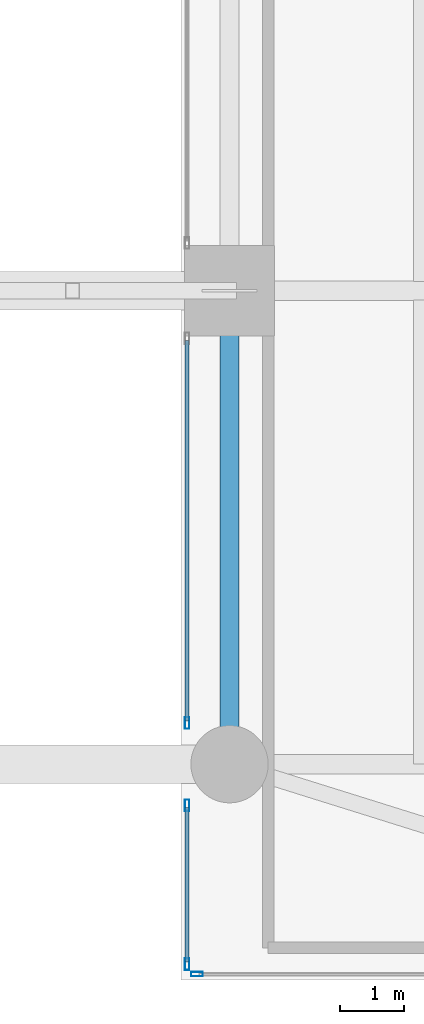
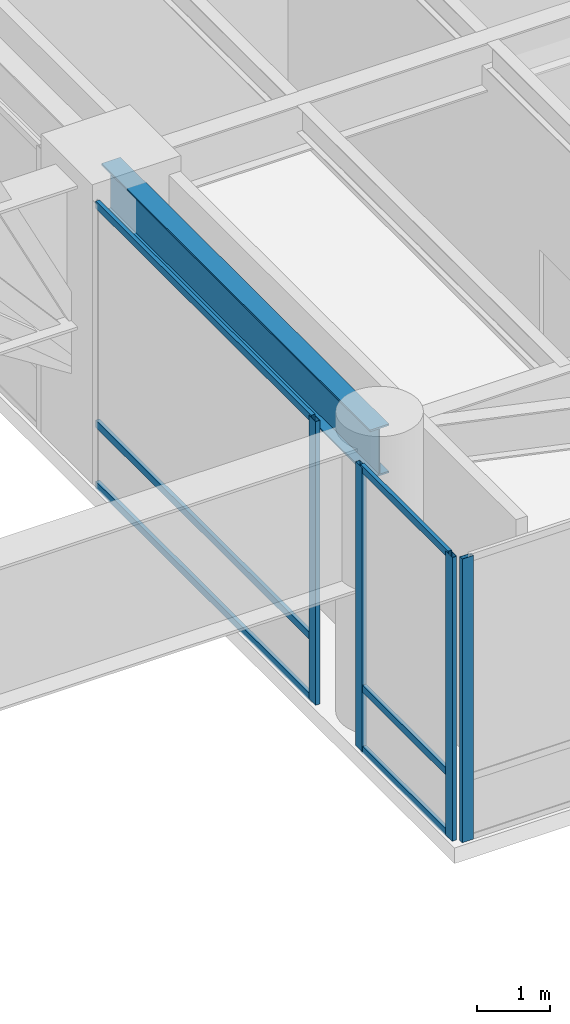
# One storey, part 14 of 39: 10 members, 1 beam, 3 elements without a shape of their own.
"""IFC4 building model written with IfcOpenShell, lengths in metres."""

from ifc_helpers import new_model, si_unit, direction, frame, origin, origin_2d, place, context, subcontext, project, spatial, hollow_rectangle, i_section, extrude, source, transform, mapped, material, layer, layer_set, material_profile, profile_set, type_object, type_shapes, element, aggregate, save


model = new_model("IFC4")

# Units and contexts
model_context = context("Model", 3, precision=1e-05, world=origin(), true_north=direction((0.0, 1.0)))
body_context = subcontext(model_context, "Body", "Model", "MODEL_VIEW")
ifc_project = project(units=[si_unit("LENGTHUNIT", "METRE"), si_unit("AREAUNIT", "SQUARE_METRE"), si_unit("VOLUMEUNIT", "CUBIC_METRE"), si_unit("PLANEANGLEUNIT", "RADIAN"), si_unit("MASSUNIT", "GRAM", prefix="KILO")], contexts=[model_context])

# Site, building, storey
site_placement = place(None, origin())
site = spatial("IfcSite", under=ifc_project, at=site_placement, CompositionType="ELEMENT")
building_placement = place(site_placement, origin())
building = spatial("IfcBuilding", under=site, at=building_placement, Name="Tolvann Quenvar Hotel", CompositionType="ELEMENT")
storey_placement = place(building_placement, frame((0.0, 0.0, 11.0)))
storey = spatial("IfcBuildingStorey", under=building, at=storey_placement, Name="L02", CompositionType="ELEMENT", Elevation=11.0)

# Beam
ifc_material_1 = material(Name="Steel Grade 350", Category="steel")
ifc_material_profile_1 = material_profile(ifc_material_1, i_section(OverallWidth=0.300048828125, OverallDepth=0.81591796875, WebThickness=0.010009765625, FlangeThickness=0.028076171875, at=origin_2d()), Name="800WB192")
ifc_profile_set_1 = profile_set([ifc_material_profile_1], Name="Steel Grade 350")
beam_type = type_object("IfcBeamType", Name="BM_GIRD_800WB192", PredefinedType="BEAM", material=ifc_profile_set_1)
shared_shape_1 = source(origin(), body_context, "Body", "SweptSolid", [
    extrude(i_section(OverallWidth=0.300048828125, OverallDepth=0.81591796875, WebThickness=0.010009765625, FlangeThickness=0.028076171875, at=origin_2d()), origin(), (0.0, 0.0, 1.0), 7.349853515625),
])
type_shapes(beam_type, [shared_shape_1])
beam_placement = place(storey_placement, frame((38.25, 0.85009765625, 4.33203125), z_axis=(0.0, 1.0, 0.0), x_axis=(-1.0, 0.0, 0.0)))
element("IfcBeam", 1, at=beam_placement, inside=storey, type_object=beam_type, Name="BM-L02-NS-APE-0", PredefinedType="BEAM", context=body_context, shape_type="MappedRepresentation", body=[
    mapped(shared_shape_1, transform((0.0, 0.0, 0.0), x_axis=(1.0, 0.0, 0.0), y_axis=(0.0, 1.0, 0.0), z_axis=(0.0, 0.0, 1.0), scale=1.0)),
])

# Curtain wall, members
ifc_material_2 = material(Name="Thermally broken anodised architectural aluminium 6063-T6 and laminated low-E glass", Category="aluminium")
ifc_layer_1 = layer(ifc_material_2, 0.179931640625)
ifc_layer_set_1 = layer_set([ifc_layer_1], Name="Thermally broken anodised architectural aluminium 6063-T6 and laminated low-E glass")
curtain_wall_type_1 = type_object("IfcCurtainWallType", Name="CW_SYS_ARCH_01", PredefinedType="USERDEFINED", material=ifc_layer_set_1)
curtain_wall_1_placement = place(storey_placement, origin())
curtain_wall_1 = element("IfcCurtainWall", 2, at=curtain_wall_1_placement, inside=storey, type_object=curtain_wall_type_1, Name="Curtain Wall CW-ARCH-01 (CWR-L02-E03-S5)", ObjectType="UNITISED CURTAIN WALL", PredefinedType="USERDEFINED")
ifc_material_3 = material(Name="Anodised architectural aluminium 6063-T6 framing", Category="aluminium")
ifc_material_profile_2 = material_profile(ifc_material_3, hollow_rectangle(XDim=0.06005859375, YDim=0.1201171875, WallThickness=0.00341796875, at=origin_2d()), Name="120x60x3.5RHS")
ifc_profile_set_2 = profile_set([ifc_material_profile_2], Name="Anodised architectural aluminium 6063-T6 framing")
member_type_1 = type_object("IfcMemberType", Name="CW_TRAN_120x60", PredefinedType="USERDEFINED", material=ifc_profile_set_2)
shared_shape_2 = source(origin(), body_context, "Body", "SweptSolid", [
    extrude(hollow_rectangle(XDim=0.06005859375, YDim=0.1201171875, WallThickness=0.00341796875, at=origin_2d()), origin(), (0.0, 0.0, 1.0), 2.39599609375),
])
member_1_placement = place(storey_placement, frame((37.590087890625, 0.176025390625, 0.030029296875), z_axis=(0.0, -1.0, 0.0), x_axis=(1.0, 0.0, 0.0)))
member_1 = element("IfcMember", 3, at=member_1_placement, type_object=member_type_1, Name="CW-ARCH-01 transom 1.1", ObjectType="TRANSOM", PredefinedType="USERDEFINED", context=body_context, shape_type="MappedRepresentation", body=[
    mapped(shared_shape_2, transform((0.0, 0.0, 0.0), x_axis=(1.0, 0.0, 0.0), y_axis=(0.0, 1.0, 0.0), z_axis=(0.0, 0.0, 1.0), scale=1.0)),
])
member_2_placement = place(storey_placement, frame((37.590087890625, 0.176025390625, 1.050048828125), z_axis=(0.0, -1.0, 0.0), x_axis=(1.0, 0.0, 0.0)))
member_2 = element("IfcMember", 4, at=member_2_placement, type_object=member_type_1, Name="CW-ARCH-01 transom 1.2", ObjectType="TRANSOM", PredefinedType="USERDEFINED", context=body_context, shape_type="MappedRepresentation", body=[
    mapped(shared_shape_2, transform((0.0, 0.0, 0.0), x_axis=(1.0, 0.0, 0.0), y_axis=(0.0, 1.0, 0.0), z_axis=(0.0, 0.0, 1.0), scale=1.0)),
])
member_3_placement = place(storey_placement, frame((37.590087890625, 0.176025390625, 4.7099609375), z_axis=(0.0, -1.0, 0.0), x_axis=(1.0, 0.0, 0.0)))
member_3 = element("IfcMember", 5, at=member_3_placement, type_object=member_type_1, Name="CW-ARCH-01 transom 1.3", ObjectType="TRANSOM", PredefinedType="USERDEFINED", context=body_context, shape_type="MappedRepresentation", body=[
    mapped(shared_shape_2, transform((0.0, 0.0, 0.0), x_axis=(1.0, 0.0, 0.0), y_axis=(0.0, 1.0, 0.0), z_axis=(0.0, 0.0, 1.0), scale=1.0)),
])

curtain_wall_2_placement = place(storey_placement, origin())
curtain_wall_2 = element("IfcCurtainWall", 6, at=curtain_wall_2_placement, inside=storey, type_object=curtain_wall_type_1, Name="Curtain Wall CW-ARCH-01 (CWR-L02-E03-S4)", ObjectType="UNITISED CURTAIN WALL", PredefinedType="USERDEFINED")
shared_shape_3 = source(origin(), body_context, "Body", "SweptSolid", [
    extrude(hollow_rectangle(XDim=0.06005859375, YDim=0.1201171875, WallThickness=0.00341796875, at=origin_2d()), origin(), (0.0, 0.0, 1.0), 5.902099609375),
])
type_shapes(member_type_1, [shared_shape_2, shared_shape_3])
member_4_placement = place(storey_placement, frame((37.590087890625, 7.426025390625, 0.030029296875), z_axis=(0.0, -1.0, 0.0), x_axis=(1.0, 0.0, 0.0)))
member_4 = element("IfcMember", 7, at=member_4_placement, type_object=member_type_1, Name="CW-ARCH-01 transom 1.1", ObjectType="TRANSOM", PredefinedType="USERDEFINED", context=body_context, shape_type="MappedRepresentation", body=[
    mapped(shared_shape_3, transform((0.0, 0.0, 0.0), x_axis=(1.0, 0.0, 0.0), y_axis=(0.0, 1.0, 0.0), z_axis=(0.0, 0.0, 1.0), scale=1.0)),
])
member_5_placement = place(storey_placement, frame((37.590087890625, 7.426025390625, 1.050048828125), z_axis=(0.0, -1.0, 0.0), x_axis=(1.0, 0.0, 0.0)))
member_5 = element("IfcMember", 8, at=member_5_placement, type_object=member_type_1, Name="CW-ARCH-01 transom 1.2", ObjectType="TRANSOM", PredefinedType="USERDEFINED", context=body_context, shape_type="MappedRepresentation", body=[
    mapped(shared_shape_3, transform((0.0, 0.0, 0.0), x_axis=(1.0, 0.0, 0.0), y_axis=(0.0, 1.0, 0.0), z_axis=(0.0, 0.0, 1.0), scale=1.0)),
])
member_6_placement = place(storey_placement, frame((37.590087890625, 7.426025390625, 4.7099609375), z_axis=(0.0, -1.0, 0.0), x_axis=(1.0, 0.0, 0.0)))
member_6 = element("IfcMember", 9, at=member_6_placement, type_object=member_type_1, Name="CW-ARCH-01 transom 1.3", ObjectType="TRANSOM", PredefinedType="USERDEFINED", context=body_context, shape_type="MappedRepresentation", body=[
    mapped(shared_shape_3, transform((0.0, 0.0, 0.0), x_axis=(1.0, 0.0, 0.0), y_axis=(0.0, 1.0, 0.0), z_axis=(0.0, 0.0, 1.0), scale=1.0)),
])
ifc_material_profile_3 = material_profile(ifc_material_3, hollow_rectangle(XDim=0.070068359375, YDim=0.179931640625, WallThickness=0.00390625, at=origin_2d()), Name="180x70x4RHS")
ifc_profile_set_3 = profile_set([ifc_material_profile_3], Name="Anodised architectural aluminium 6063-T6 framing")
member_type_2 = type_object("IfcMemberType", Name="CW_MULL_180x70", PredefinedType="MULLION", material=ifc_profile_set_3)
shared_shape_4 = source(origin(), body_context, "Body", "SweptSolid", [
    extrude(hollow_rectangle(XDim=0.070068359375, YDim=0.179931640625, WallThickness=0.00390625, at=origin_2d()), origin(), (0.0, 0.0, 1.0), 4.739990234375),
])
type_shapes(member_type_2, [shared_shape_4])
member_7_placement = place(storey_placement, frame((37.590087890625, 1.489013671875, 0.0), z_axis=(0.0, 0.0, 1.0), x_axis=(1.0, 0.0, 0.0)))
member_7 = element("IfcMember", 10, at=member_7_placement, type_object=member_type_2, Name="CW-ARCH-01 mullion 2", PredefinedType="MULLION", context=body_context, shape_type="MappedRepresentation", body=[
    mapped(shared_shape_4, transform((0.0, 0.0, 0.0), x_axis=(1.0, 0.0, 0.0), y_axis=(0.0, 1.0, 0.0), z_axis=(0.0, 0.0, 1.0), scale=1.0)),
])
aggregate(curtain_wall_2, [member_7, member_4, member_5, member_6])

# Member
member_8_placement = place(storey_placement, frame((37.590087890625, 0.2109375, 0.0), z_axis=(0.0, 0.0, 1.0), x_axis=(1.0, 0.0, 0.0)))
member_8 = element("IfcMember", 11, at=member_8_placement, type_object=member_type_2, Name="CW-ARCH-01 mullion 1", PredefinedType="MULLION", context=body_context, shape_type="MappedRepresentation", body=[
    mapped(shared_shape_4, transform((0.0, 0.0, 0.0), x_axis=(1.0, 0.0, 0.0), y_axis=(0.0, 1.0, 0.0), z_axis=(0.0, 0.0, 1.0), scale=1.0)),
])

member_9_placement = place(storey_placement, frame((37.590087890625, -2.2548828125, 0.0), z_axis=(0.0, 0.0, 1.0), x_axis=(1.0, 0.0, 0.0)))
member_9 = element("IfcMember", 12, at=member_9_placement, type_object=member_type_2, Name="CW-ARCH-01 mullion 2", PredefinedType="MULLION", context=body_context, shape_type="MappedRepresentation", body=[
    mapped(shared_shape_4, transform((0.0, 0.0, 0.0), x_axis=(1.0, 0.0, 0.0), y_axis=(0.0, 1.0, 0.0), z_axis=(0.0, 0.0, 1.0), scale=1.0)),
])

aggregate(curtain_wall_1, [member_8, member_9, member_1, member_2, member_3])

# Curtain wall, member
ifc_layer_2 = layer(ifc_material_2, 0.179931640625)
ifc_layer_set_2 = layer_set([ifc_layer_2], Name="Thermally broken anodised architectural aluminium 6063-T6 and laminated low-E glass")
curtain_wall_type_2 = type_object("IfcCurtainWallType", Name="CW_SYS_BALL_02", PredefinedType="USERDEFINED", material=ifc_layer_set_2)
curtain_wall_3_placement = place(storey_placement, origin())
curtain_wall_3 = element("IfcCurtainWall", 13, at=curtain_wall_3_placement, inside=storey, type_object=curtain_wall_type_2, Name="Curtain Wall CW-BALL-02 (CWR-L02-E04-S1)", ObjectType="UNITISED CURTAIN WALL", PredefinedType="USERDEFINED")
member_10_placement = place(storey_placement, frame((37.7451171875, -2.409912109375, 0.0), z_axis=(0.0, 0.0, 1.0), x_axis=(0.0, 1.0, 0.0)))
member_10 = element("IfcMember", 14, at=member_10_placement, type_object=member_type_2, Name="CW-BALL-02 mullion 1", PredefinedType="MULLION", context=body_context, shape_type="MappedRepresentation", body=[
    mapped(shared_shape_4, transform((0.0, 0.0, 0.0), x_axis=(1.0, 0.0, 0.0), y_axis=(0.0, 1.0, 0.0), z_axis=(0.0, 0.0, 1.0), scale=1.0)),
])
aggregate(curtain_wall_3, [member_10])

save(model, "model.ifc")
